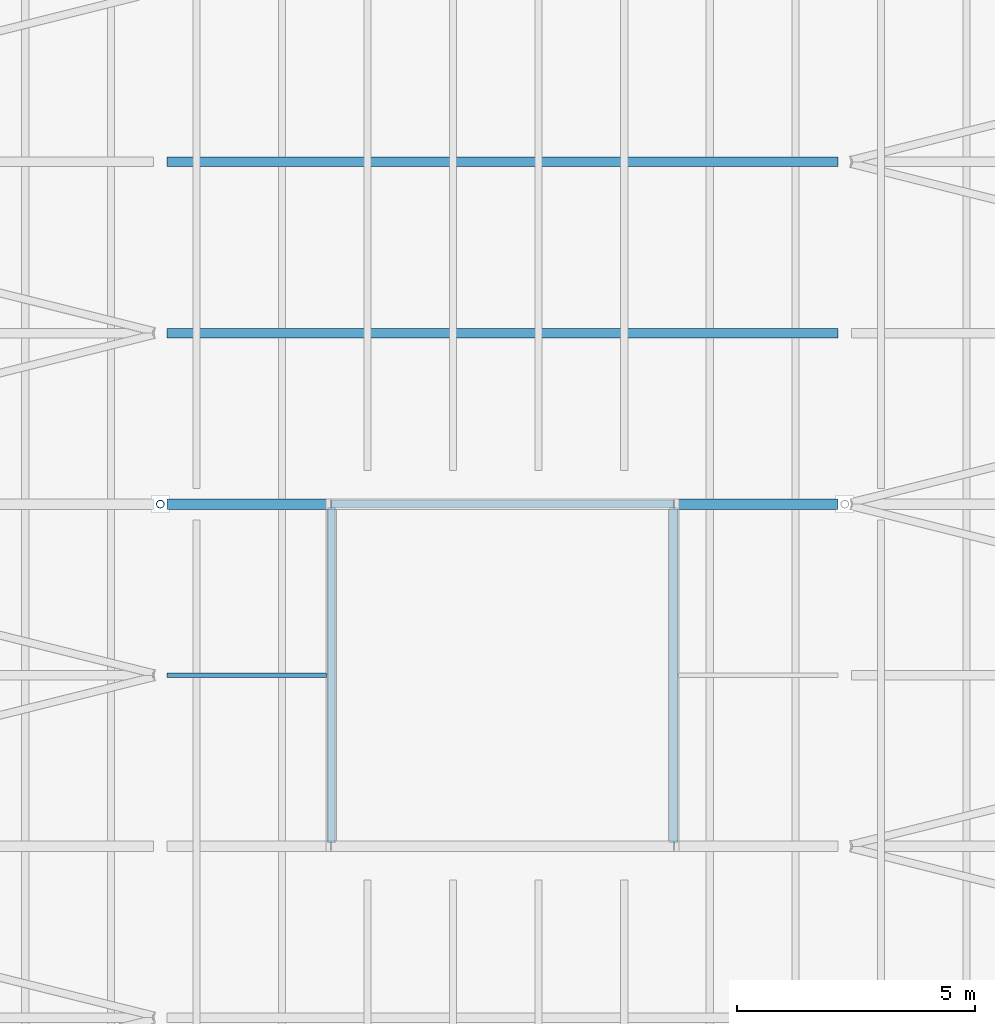
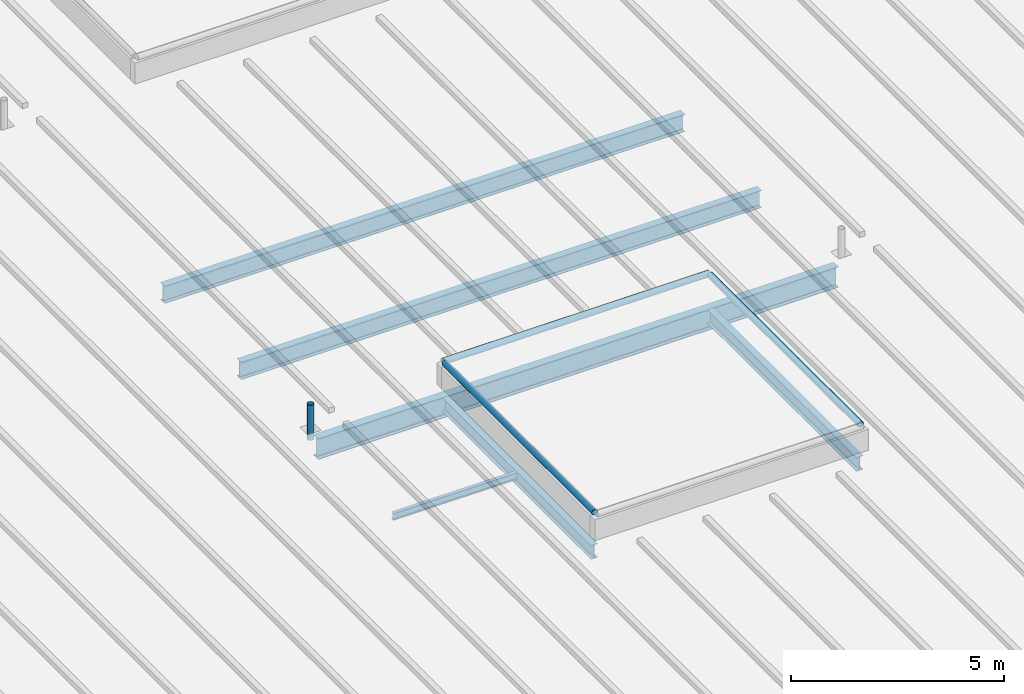
# One storey, part 41 of 120: 6 beams, 4 members.
"""IFC4 building model written with IfcOpenShell, lengths in metres."""

from ifc_helpers import new_model, si_unit, direction, frame, origin, origin_2d, place, context, subcontext, project, spatial, hollow_circle, i_section, extrude, material, material_profile, profile_set, type_object, element, save


model = new_model("IFC4")

# Units and contexts
model_context = context("Model", 3, precision=1e-05, world=origin(), true_north=direction((0.0, 1.0)))
body_context = subcontext(model_context, "Body", "Model", "MODEL_VIEW")
ifc_project = project(units=[si_unit("LENGTHUNIT", "METRE"), si_unit("AREAUNIT", "SQUARE_METRE"), si_unit("VOLUMEUNIT", "CUBIC_METRE"), si_unit("PLANEANGLEUNIT", "RADIAN"), si_unit("MASSUNIT", "GRAM", prefix="KILO")], contexts=[model_context])

# Site, building, storey
site_placement = place(None, origin())
site = spatial("IfcSite", under=ifc_project, at=site_placement, CompositionType="ELEMENT")
building_placement = place(site_placement, origin())
building = spatial("IfcBuilding", under=site, at=building_placement, Name="Kupolbacken Congress Centre", CompositionType="ELEMENT")
storey_placement = place(building_placement, frame((0.0, 0.0, 21.60009765625)))
storey = spatial("IfcBuildingStorey", under=building, at=storey_placement, Name="L06", CompositionType="ELEMENT", Elevation=21.60009765625)

# Beams
ifc_material_1 = material(Name="Steel S355", Category="steel")
ifc_material_profile_1 = material_profile(ifc_material_1, i_section(OverallWidth=0.10009765625, OverallDepth=0.199951171875, WebThickness=0.005615234375, FlangeThickness=0.008544921875, FilletRadius=0.011962890625, at=origin_2d()), Name="IPE 200")
ifc_profile_set_1 = profile_set([ifc_material_profile_1], Name="Steel S355")
beam_type_1 = type_object("IfcBeamType", Name="B01 beam IPE 200", PredefinedType="BEAM", material=ifc_profile_set_1)
beam_1_placement = place(storey_placement, frame((165.7451171875, 57.60009765625, -0.10009765625), z_axis=(1.0, 0.0, 0.0), x_axis=(0.0, 1.0, 0.0)))
element("IfcBeam", 1, at=beam_1_placement, inside=storey, type_object=beam_type_1, Name="HR/P04-06-0", PredefinedType="BEAM", context=body_context, shape_type="SweptSolid", body=[
    extrude(i_section(OverallWidth=0.10009765625, OverallDepth=0.199951171875, WebThickness=0.005615234375, FlangeThickness=0.008544921875, FilletRadius=0.011962890625, at=origin_2d()), origin(), (0.0, 0.0, 1.0), 3.35498046875),
])
ifc_material_2 = material(Name="Steel S355", Category="steel")
ifc_material_profile_2 = material_profile(ifc_material_2, i_section(OverallWidth=0.179931640625, OverallDepth=0.39990234375, WebThickness=0.008544921875, FlangeThickness=0.013427734375, FilletRadius=0.02099609375, at=origin_2d()), Name="IPE 400")
ifc_profile_set_2 = profile_set([ifc_material_profile_2], Name="Steel S355")
beam_type_2 = type_object("IfcBeamType", Name="B07 beam IPE 400", PredefinedType="BEAM", material=ifc_profile_set_2)
for number, where, z_axis, x_axis, name in (
    (2, (169.199951171875, 54.10009765625, -0.2001953125), (0.0, 1.0, 0.0), (-1.0, 0.0, 0.0), "HR/CT7W"),
    (3, (176.39990234375, 54.10009765625, -0.2001953125), (0.0, 1.0, 0.0), (-1.0, 0.0, 0.0), "HR/CT7E"),
):
    element("IfcBeam", number, at=place(storey_placement, frame(where, z_axis=z_axis, x_axis=x_axis)), inside=storey, type_object=beam_type_2, Name=name, PredefinedType="BEAM", context=body_context, shape_type="SweptSolid", body=[
        extrude(i_section(OverallWidth=0.179931640625, OverallDepth=0.39990234375, WebThickness=0.008544921875, FlangeThickness=0.013427734375, FilletRadius=0.02099609375, at=origin_2d()), origin(), (0.0, 0.0, 1.0), 7.0),
    ])
ifc_material_3 = material(Name="Steel S355", Category="steel")
ifc_material_profile_3 = material_profile(ifc_material_3, i_section(OverallWidth=0.199951171875, OverallDepth=0.5, WebThickness=0.01025390625, FlangeThickness=0.01611328125, FilletRadius=0.02099609375, at=origin_2d()), Name="IPE 500")
ifc_profile_set_3 = profile_set([ifc_material_profile_3], Name="Steel S355")
beam_type_3 = type_object("IfcBeamType", Name="B09 beam IPE 500", PredefinedType="BEAM", material=ifc_profile_set_3)
for number, where, z_axis, x_axis, name in (
    (4, (165.7451171875, 64.800048828125, -0.25), (1.0, 0.0, 0.0), (0.0, 1.0, 0.0), "HR/P06-06"),
    (5, (165.7451171875, 68.39990234375, -0.25), (1.0, 0.0, 0.0), (0.0, 1.0, 0.0), "HR/P07-06"),
):
    element("IfcBeam", number, at=place(storey_placement, frame(where, z_axis=z_axis, x_axis=x_axis)), inside=storey, type_object=beam_type_3, Name=name, PredefinedType="BEAM", context=body_context, shape_type="SweptSolid", body=[
        extrude(i_section(OverallWidth=0.199951171875, OverallDepth=0.5, WebThickness=0.01025390625, FlangeThickness=0.01611328125, FilletRadius=0.02099609375, at=origin_2d()), origin(), (0.0, 0.0, 1.0), 14.10986328125),
    ])
ifc_material_4 = material(Name="Steel S355", Category="steel")
ifc_material_profile_4 = material_profile(ifc_material_4, i_section(OverallWidth=0.219970703125, OverallDepth=0.60009765625, WebThickness=0.011962890625, FlangeThickness=0.01904296875, FilletRadius=0.02392578125, at=origin_2d()), Name="IPE 600")
ifc_profile_set_4 = profile_set([ifc_material_profile_4], Name="Steel S355")
beam_type_4 = type_object("IfcBeamType", Name="B11 beam IPE 600", PredefinedType="BEAM", material=ifc_profile_set_4)
beam_2_placement = place(storey_placement, frame((165.7451171875, 61.199951171875, -0.300048828125), z_axis=(1.0, 0.0, 0.0), x_axis=(0.0, 1.0, 0.0)))
element("IfcBeam", 6, at=beam_2_placement, inside=storey, type_object=beam_type_4, Name="HR/X05-06", PredefinedType="BEAM", context=body_context, shape_type="SweptSolid", body=[
    extrude(i_section(OverallWidth=0.219970703125, OverallDepth=0.60009765625, WebThickness=0.011962890625, FlangeThickness=0.01904296875, FilletRadius=0.02392578125, at=origin_2d()), origin(), (0.0, 0.0, 1.0), 14.10986328125),
])

# Members
ifc_material_5 = material(Name="Steel S355", Category="steel")
ifc_material_profile_5 = material_profile(ifc_material_5, hollow_circle(Radius=0.084228515625, WallThickness=0.008056640625, at=origin_2d()), Name="CHS 168.3 x 8")
ifc_profile_set_5 = profile_set([ifc_material_profile_5], Name="Steel S355")
member_type_1 = type_object("IfcMemberType", Name="M20 transfer truss post CHS 168.3 x 8", PredefinedType="STRUT", material=ifc_profile_set_5)
member_1_placement = place(storey_placement, frame((165.60009765625, 61.199951171875, -0.010009765625), z_axis=(0.0, 0.0, 1.0), x_axis=(1.0, 0.0, 0.0)))
element("IfcMember", 7, at=member_1_placement, inside=storey, type_object=member_type_1, Name="Roof stay anchor post M6S.1", PredefinedType="STRUT", context=body_context, shape_type="SweptSolid", body=[
    extrude(hollow_circle(Radius=0.084228515625, WallThickness=0.008056640625, at=origin_2d()), origin(), (0.0, 0.0, 1.0), 1.010009765625),
])
ifc_material_6 = material(Name="Steel S355", Category="steel")
ifc_material_profile_6 = material_profile(ifc_material_6, hollow_circle(Radius=0.084228515625, WallThickness=0.008056640625, at=origin_2d()), Name="CHS 168.3 x 8")
ifc_profile_set_6 = profile_set([ifc_material_profile_6], Name="Steel S355")
member_type_2 = type_object("IfcMemberType", Name="M21 brace CHS 168.3 x 8", PredefinedType="BRACE", material=ifc_profile_set_6)
member_2_placement = place(storey_placement, frame((169.199951171875, 61.199951171875, 0.944091796875), z_axis=(1.0, 0.0, 0.0), x_axis=(0.0, 1.0, 0.0)))
element("IfcMember", 8, at=member_2_placement, inside=storey, type_object=member_type_2, Name="RD/RL7/FN", PredefinedType="BRACE", context=body_context, shape_type="SweptSolid", body=[
    extrude(hollow_circle(Radius=0.084228515625, WallThickness=0.008056640625, at=origin_2d()), origin(), (0.0, 0.0, 1.0), 7.199951171875),
])
for number, where, z_axis, x_axis, name in (
    (9, (169.199951171875, 54.07421875, 0.944091796875), (0.0, 1.0, 0.0), (-1.0, 0.0, 0.0), "RD/RL7/FW"),
    (10, (176.39990234375, 54.07421875, 0.944091796875), (0.0, 1.0, 0.0), (-1.0, 0.0, 0.0), "RD/RL7/FE"),
):
    element("IfcMember", number, at=place(storey_placement, frame(where, z_axis=z_axis, x_axis=x_axis)), inside=storey, type_object=member_type_2, Name=name, PredefinedType="BRACE", context=body_context, shape_type="SweptSolid", body=[
        extrude(hollow_circle(Radius=0.084228515625, WallThickness=0.008056640625, at=origin_2d()), origin(), (0.0, 0.0, 1.0), 7.051513671875),
    ])

save(model, "model.ifc")
